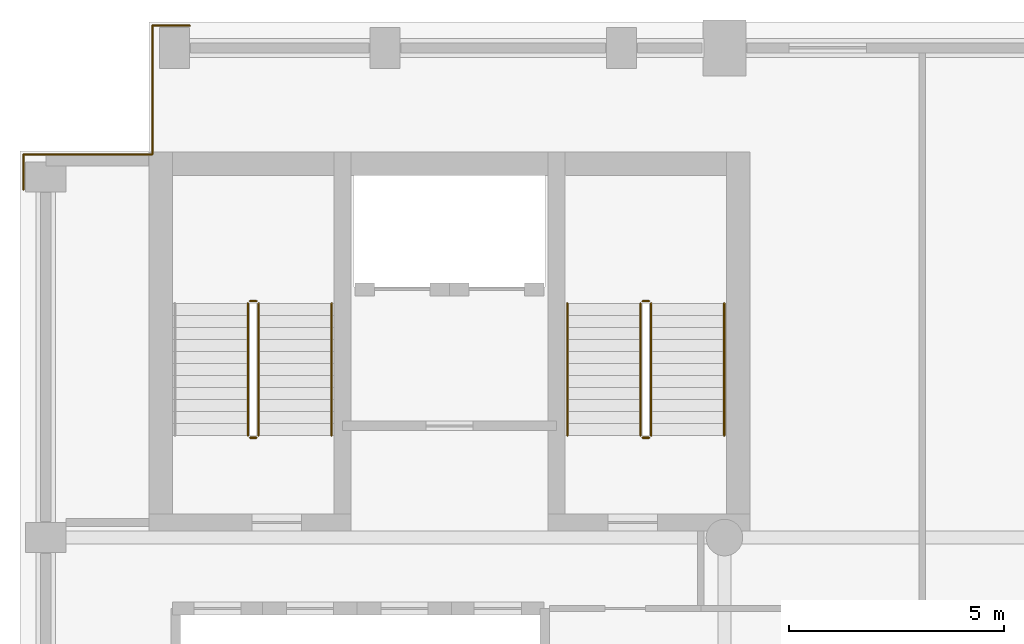
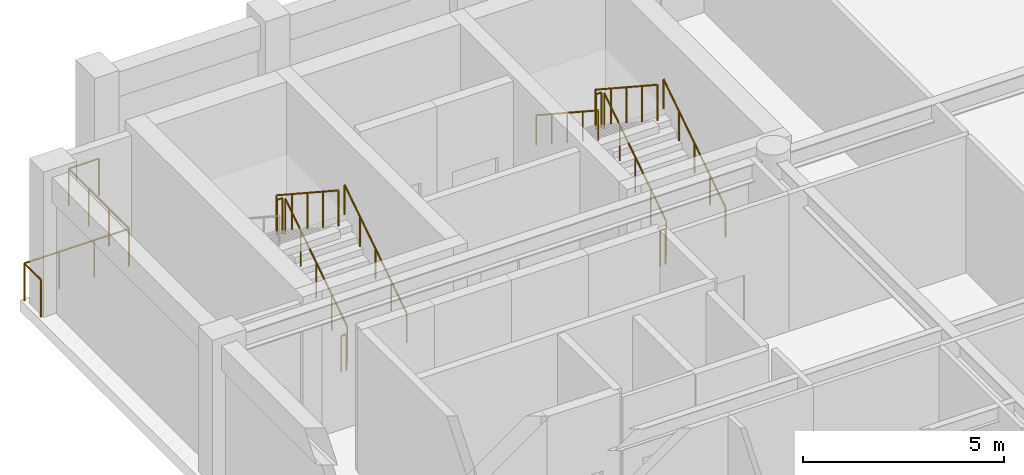
# One storey, part 12 of 13: 15 railings.
"""IFC4 building model written with IfcOpenShell, lengths in metres."""

from ifc_helpers import new_model, si_unit, direction, frame, origin, origin_2d, place, context, subcontext, project, spatial, circle, extrude, material, type_object, element, save


model = new_model("IFC4")

# Units and contexts
model_context = context("Model", 3, precision=1e-05, world=origin(), true_north=direction((0.0, 1.0)))
body_context = subcontext(model_context, "Body", "Model", "MODEL_VIEW")
ifc_project = project(units=[si_unit("LENGTHUNIT", "METRE"), si_unit("AREAUNIT", "SQUARE_METRE"), si_unit("VOLUMEUNIT", "CUBIC_METRE"), si_unit("PLANEANGLEUNIT", "RADIAN"), si_unit("MASSUNIT", "GRAM", prefix="KILO")], contexts=[model_context])

# Site, building, storey
site_placement = place(None, origin())
site = spatial("IfcSite", under=ifc_project, at=site_placement, CompositionType="ELEMENT")
building_placement = place(site_placement, origin())
building = spatial("IfcBuilding", under=site, at=building_placement, Name="Sulina Concourse Tower", CompositionType="ELEMENT")
storey_placement = place(building_placement, frame((0.0, 0.0, 280.60009765625)))
storey = spatial("IfcBuildingStorey", under=building, at=storey_placement, Name="L68", CompositionType="ELEMENT", Elevation=280.60009765625)

# Railings
ifc_material_1 = material(Name="Galvanised steel railing", Category="steel")
railing_type_1 = type_object("IfcRailingType", Name="Core Stair Steel Guardrail 1150mm", PredefinedType="GUARDRAIL", material=ifc_material_1)
railing_1_placement = place(storey_placement, frame((0.080078125, 42.10009765625, 0.0)))
element("IfcRailing", 1, at=railing_1_placement, inside=storey, type_object=railing_type_1, Name="L68 perimeter edge safety guardrail NW1", PredefinedType="GUARDRAIL", context=body_context, shape_type="SweptSolid", body=[
    extrude(circle(Radius=0.02392578125, at=origin_2d()), frame((0.0, 0.0, 1.1259765625), z_axis=(0.0, 1.0, 0.0), x_axis=(-1.0, 0.0, 0.0)), (0.0, 0.0, 1.0), 0.81982421875),
    extrude(circle(Radius=0.02099609375, at=origin_2d()), origin(), (0.0, 0.0, 1.0), 1.101806640625),
    extrude(circle(Radius=0.02099609375, at=origin_2d()), frame((0.0, 0.81982421875, 0.0)), (0.0, 0.0, 1.0), 1.101806640625),
])
railing_2_placement = place(storey_placement, frame((0.080078125, 42.919921875, 0.0)))
element("IfcRailing", 2, at=railing_2_placement, inside=storey, type_object=railing_type_1, Name="L68 perimeter edge safety guardrail NW2", PredefinedType="GUARDRAIL", context=body_context, shape_type="SweptSolid", body=[
    extrude(circle(Radius=0.02392578125, at=origin_2d()), frame((0.0, 0.0, 1.1259765625), z_axis=(1.0, 0.0, 0.0), x_axis=(0.0, 1.0, 0.0)), (0.0, 0.0, 1.0), 3.0),
    extrude(circle(Radius=0.02099609375, at=origin_2d()), origin(), (0.0, 0.0, 1.0), 1.101806640625),
    extrude(circle(Radius=0.02099609375, at=origin_2d()), frame((1.0, 0.0, 0.0)), (0.0, 0.0, 1.0), 1.101806640625),
    extrude(circle(Radius=0.02099609375, at=origin_2d()), frame((2.0, 0.0, 0.0)), (0.0, 0.0, 1.0), 1.101806640625),
    extrude(circle(Radius=0.02099609375, at=origin_2d()), frame((3.0, 0.0, 0.0)), (0.0, 0.0, 1.0), 1.101806640625),
])
railing_3_placement = place(storey_placement, frame((3.080078125, 42.919921875, 0.0)))
element("IfcRailing", 3, at=railing_3_placement, inside=storey, type_object=railing_type_1, Name="L68 perimeter edge safety guardrail NW3", PredefinedType="GUARDRAIL", context=body_context, shape_type="SweptSolid", body=[
    extrude(circle(Radius=0.02392578125, at=origin_2d()), frame((0.0, 0.0, 1.1259765625), z_axis=(0.0, 1.0, 0.0), x_axis=(-1.0, 0.0, 0.0)), (0.0, 0.0, 1.0), 3.0),
    extrude(circle(Radius=0.02099609375, at=origin_2d()), origin(), (0.0, 0.0, 1.0), 1.101806640625),
    extrude(circle(Radius=0.02099609375, at=origin_2d()), frame((0.0, 1.0, 0.0)), (0.0, 0.0, 1.0), 1.101806640625),
    extrude(circle(Radius=0.02099609375, at=origin_2d()), frame((0.0, 2.0, 0.0)), (0.0, 0.0, 1.0), 1.101806640625),
    extrude(circle(Radius=0.02099609375, at=origin_2d()), frame((0.0, 3.0, 0.0)), (0.0, 0.0, 1.0), 1.101806640625),
])
railing_4_placement = place(storey_placement, frame((3.080078125, 45.919921875, 0.0)))
element("IfcRailing", 4, at=railing_4_placement, inside=storey, type_object=railing_type_1, Name="L68 perimeter edge safety guardrail NW4", PredefinedType="GUARDRAIL", context=body_context, shape_type="SweptSolid", body=[
    extrude(circle(Radius=0.02392578125, at=origin_2d()), frame((0.0, 0.0, 1.1259765625), z_axis=(1.0, 0.0, 0.0), x_axis=(0.0, 1.0, 0.0)), (0.0, 0.0, 1.0), 0.869873046875),
    extrude(circle(Radius=0.02099609375, at=origin_2d()), origin(), (0.0, 0.0, 1.0), 1.101806640625),
    extrude(circle(Radius=0.02099609375, at=origin_2d()), frame((0.869873046875, 0.0, 0.0)), (0.0, 0.0, 1.0), 1.101806640625),
])
railing_5_placement = place(storey_placement, frame((5.554931640625, 36.375, 0.183349609375)))
element("IfcRailing", 5, at=railing_5_placement, inside=storey, type_object=railing_type_1, Name="L68 ST-1 stair guard 1", PredefinedType="GUARDRAIL", context=body_context, shape_type="SweptSolid", body=[
    extrude(circle(Radius=0.02392578125, at=origin_2d()), frame((0.0, 0.0, 1.076171875), z_axis=(0.0, 0.836633000464, 0.547763838287), x_axis=(-1.0, 0.0, 0.0)), (0.0, 0.0, 1.0), 3.681396484375),
    extrude(circle(Radius=0.02099609375, at=origin_2d()), origin(), (0.0, 0.0, 1.0), 1.052001953125),
    extrude(circle(Radius=0.02099609375, at=origin_2d()), frame((0.0, 0.77001953125, 0.504150390625)), (0.0, 0.0, 1.0), 1.052001953125),
    extrude(circle(Radius=0.02099609375, at=origin_2d()), frame((0.0, 1.5400390625, 1.00830078125)), (0.0, 0.0, 1.0), 1.052001953125),
    extrude(circle(Radius=0.02099609375, at=origin_2d()), frame((0.0, 2.31005859375, 1.512451171875)), (0.0, 0.0, 1.0), 1.052001953125),
    extrude(circle(Radius=0.02099609375, at=origin_2d()), frame((0.0, 3.080078125, 2.0166015625)), (0.0, 0.0, 1.0), 1.052001953125),
])
railing_6_placement = place(storey_placement, frame((5.5048828125, 39.5048828125, 2.199951171875)))
element("IfcRailing", 6, at=railing_6_placement, inside=storey, type_object=railing_type_1, Name="L68 ST-1 stair guard 2", PredefinedType="GUARDRAIL", context=body_context, shape_type="SweptSolid", body=[
    extrude(circle(Radius=0.02392578125, at=origin_2d()), frame((0.0, 0.0, 1.076171875), z_axis=(-1.0, 0.0, 0.0), x_axis=(0.0, -1.0, 0.0)), (0.0, 0.0, 1.0), 0.14990234375),
    extrude(circle(Radius=0.02099609375, at=origin_2d()), origin(), (0.0, 0.0, 1.0), 1.052001953125),
    extrude(circle(Radius=0.02099609375, at=origin_2d()), frame((-0.14990234375, 0.0, 0.0)), (0.0, 0.0, 1.0), 1.052001953125),
])
railing_7_placement = place(storey_placement, frame((5.304931640625, 39.455078125, 2.38330078125)))
element("IfcRailing", 7, at=railing_7_placement, inside=storey, type_object=railing_type_1, Name="L68 ST-1 stair guard 3", PredefinedType="GUARDRAIL", context=body_context, shape_type="SweptSolid", body=[
    extrude(circle(Radius=0.02392578125, at=origin_2d()), frame((0.0, 0.0, 1.076171875), z_axis=(0.0, -0.836633000464, 0.547763838287), x_axis=(1.0, 0.0, 0.0)), (0.0, 0.0, 1.0), 3.681396484375),
    extrude(circle(Radius=0.02099609375, at=origin_2d()), origin(), (0.0, 0.0, 1.0), 1.052001953125),
    extrude(circle(Radius=0.02099609375, at=origin_2d()), frame((0.0, -0.77001953125, 0.504150390625)), (0.0, 0.0, 1.0), 1.052001953125),
    extrude(circle(Radius=0.02099609375, at=origin_2d()), frame((0.0, -1.5400390625, 1.00830078125)), (0.0, 0.0, 1.0), 1.052001953125),
    extrude(circle(Radius=0.02099609375, at=origin_2d()), frame((0.0, -2.31005859375, 1.512451171875)), (0.0, 0.0, 1.0), 1.052001953125),
    extrude(circle(Radius=0.02099609375, at=origin_2d()), frame((0.0, -3.080078125, 2.0166015625)), (0.0, 0.0, 1.0), 1.052001953125),
])
railing_8_placement = place(storey_placement, frame((5.5048828125, 36.324951171875, 0.0)))
element("IfcRailing", 8, at=railing_8_placement, inside=storey, type_object=railing_type_1, Name="L68 ST-1 stair guard 4", PredefinedType="GUARDRAIL", context=body_context, shape_type="SweptSolid", body=[
    extrude(circle(Radius=0.02392578125, at=origin_2d()), frame((0.0, 0.0, 1.076171875), z_axis=(-1.0, 0.0, 0.0), x_axis=(0.0, -1.0, 0.0)), (0.0, 0.0, 1.0), 0.14990234375),
    extrude(circle(Radius=0.02099609375, at=origin_2d()), origin(), (0.0, 0.0, 1.0), 1.052001953125),
    extrude(circle(Radius=0.02099609375, at=origin_2d()), frame((-0.14990234375, 0.0, 0.0)), (0.0, 0.0, 1.0), 1.052001953125),
])
railing_9_placement = place(storey_placement, frame((14.695068359375, 36.375, 0.183349609375)))
element("IfcRailing", 9, at=railing_9_placement, inside=storey, type_object=railing_type_1, Name="L68 ST-2 stair guard 1", PredefinedType="GUARDRAIL", context=body_context, shape_type="SweptSolid", body=[
    extrude(circle(Radius=0.02392578125, at=origin_2d()), frame((0.0, 0.0, 1.076171875), z_axis=(0.0, 0.836633000464, 0.547763838287), x_axis=(-1.0, 0.0, 0.0)), (0.0, 0.0, 1.0), 3.681396484375),
    extrude(circle(Radius=0.02099609375, at=origin_2d()), origin(), (0.0, 0.0, 1.0), 1.052001953125),
    extrude(circle(Radius=0.02099609375, at=origin_2d()), frame((0.0, 0.77001953125, 0.504150390625)), (0.0, 0.0, 1.0), 1.052001953125),
    extrude(circle(Radius=0.02099609375, at=origin_2d()), frame((0.0, 1.5400390625, 1.00830078125)), (0.0, 0.0, 1.0), 1.052001953125),
    extrude(circle(Radius=0.02099609375, at=origin_2d()), frame((0.0, 2.31005859375, 1.512451171875)), (0.0, 0.0, 1.0), 1.052001953125),
    extrude(circle(Radius=0.02099609375, at=origin_2d()), frame((0.0, 3.080078125, 2.0166015625)), (0.0, 0.0, 1.0), 1.052001953125),
])
railing_10_placement = place(storey_placement, frame((14.64501953125, 39.5048828125, 2.199951171875)))
element("IfcRailing", 10, at=railing_10_placement, inside=storey, type_object=railing_type_1, Name="L68 ST-2 stair guard 2", PredefinedType="GUARDRAIL", context=body_context, shape_type="SweptSolid", body=[
    extrude(circle(Radius=0.02392578125, at=origin_2d()), frame((0.0, 0.0, 1.076171875), z_axis=(-1.0, 0.0, 0.0), x_axis=(0.0, -1.0, 0.0)), (0.0, 0.0, 1.0), 0.14990234375),
    extrude(circle(Radius=0.02099609375, at=origin_2d()), origin(), (0.0, 0.0, 1.0), 1.052001953125),
    extrude(circle(Radius=0.02099609375, at=origin_2d()), frame((-0.14990234375, 0.0, 0.0)), (0.0, 0.0, 1.0), 1.052001953125),
])
railing_11_placement = place(storey_placement, frame((14.445068359375, 39.455078125, 2.38330078125)))
element("IfcRailing", 11, at=railing_11_placement, inside=storey, type_object=railing_type_1, Name="L68 ST-2 stair guard 3", PredefinedType="GUARDRAIL", context=body_context, shape_type="SweptSolid", body=[
    extrude(circle(Radius=0.02392578125, at=origin_2d()), frame((0.0, 0.0, 1.076171875), z_axis=(0.0, -0.836633000464, 0.547763838287), x_axis=(1.0, 0.0, 0.0)), (0.0, 0.0, 1.0), 3.681396484375),
    extrude(circle(Radius=0.02099609375, at=origin_2d()), origin(), (0.0, 0.0, 1.0), 1.052001953125),
    extrude(circle(Radius=0.02099609375, at=origin_2d()), frame((0.0, -0.77001953125, 0.504150390625)), (0.0, 0.0, 1.0), 1.052001953125),
    extrude(circle(Radius=0.02099609375, at=origin_2d()), frame((0.0, -1.5400390625, 1.00830078125)), (0.0, 0.0, 1.0), 1.052001953125),
    extrude(circle(Radius=0.02099609375, at=origin_2d()), frame((0.0, -2.31005859375, 1.512451171875)), (0.0, 0.0, 1.0), 1.052001953125),
    extrude(circle(Radius=0.02099609375, at=origin_2d()), frame((0.0, -3.080078125, 2.0166015625)), (0.0, 0.0, 1.0), 1.052001953125),
])
railing_12_placement = place(storey_placement, frame((14.64501953125, 36.324951171875, 0.0)))
element("IfcRailing", 12, at=railing_12_placement, inside=storey, type_object=railing_type_1, Name="L68 ST-2 stair guard 4", PredefinedType="GUARDRAIL", context=body_context, shape_type="SweptSolid", body=[
    extrude(circle(Radius=0.02392578125, at=origin_2d()), frame((0.0, 0.0, 1.076171875), z_axis=(-1.0, 0.0, 0.0), x_axis=(0.0, -1.0, 0.0)), (0.0, 0.0, 1.0), 0.14990234375),
    extrude(circle(Radius=0.02099609375, at=origin_2d()), origin(), (0.0, 0.0, 1.0), 1.052001953125),
    extrude(circle(Radius=0.02099609375, at=origin_2d()), frame((-0.14990234375, 0.0, 0.0)), (0.0, 0.0, 1.0), 1.052001953125),
])
ifc_material_2 = material(Name="Galvanised steel railing", Category="steel")
railing_type_2 = type_object("IfcRailingType", Name="Stair Wall Steel Handrail 920mm", PredefinedType="HANDRAIL", material=ifc_material_2)
for number, where, name in (
    (13, (7.2548828125, 36.375, 0.183349609375), "L68 ST-1 stair handrail 1"),
    (14, (16.39501953125, 36.375, 0.183349609375), "L68 ST-2 stair handrail 1"),
):
    element("IfcRailing", number, at=place(storey_placement, frame(where)), inside=storey, type_object=railing_type_2, Name=name, PredefinedType="HANDRAIL", context=body_context, shape_type="SweptSolid", body=[
        extrude(circle(Radius=0.02392578125, at=origin_2d()), frame((0.0, 0.0, 0.89599609375), z_axis=(0.0, 0.836633000464, 0.547763838287), x_axis=(-1.0, 0.0, 0.0)), (0.0, 0.0, 1.0), 3.681396484375),
        extrude(circle(Radius=0.02099609375, at=origin_2d()), origin(), (0.0, 0.0, 1.0), 0.871826171875),
        extrude(circle(Radius=0.02099609375, at=origin_2d()), frame((0.0, 0.77001953125, 0.504150390625)), (0.0, 0.0, 1.0), 0.871826171875),
        extrude(circle(Radius=0.02099609375, at=origin_2d()), frame((0.0, 1.5400390625, 1.00830078125)), (0.0, 0.0, 1.0), 0.871826171875),
        extrude(circle(Radius=0.02099609375, at=origin_2d()), frame((0.0, 2.31005859375, 1.512451171875)), (0.0, 0.0, 1.0), 0.871826171875),
        extrude(circle(Radius=0.02099609375, at=origin_2d()), frame((0.0, 3.080078125, 2.0166015625)), (0.0, 0.0, 1.0), 0.871826171875),
    ])
railing_13_placement = place(storey_placement, frame((12.7451171875, 39.455078125, 2.38330078125)))
element("IfcRailing", 15, at=railing_13_placement, inside=storey, type_object=railing_type_2, Name="L68 ST-2 stair handrail 2", PredefinedType="HANDRAIL", context=body_context, shape_type="SweptSolid", body=[
    extrude(circle(Radius=0.02392578125, at=origin_2d()), frame((0.0, 0.0, 0.89599609375), z_axis=(0.0, -0.836633000464, 0.547763838287), x_axis=(1.0, 0.0, 0.0)), (0.0, 0.0, 1.0), 3.681396484375),
    extrude(circle(Radius=0.02099609375, at=origin_2d()), origin(), (0.0, 0.0, 1.0), 0.871826171875),
    extrude(circle(Radius=0.02099609375, at=origin_2d()), frame((0.0, -0.77001953125, 0.504150390625)), (0.0, 0.0, 1.0), 0.871826171875),
    extrude(circle(Radius=0.02099609375, at=origin_2d()), frame((0.0, -1.5400390625, 1.00830078125)), (0.0, 0.0, 1.0), 0.871826171875),
    extrude(circle(Radius=0.02099609375, at=origin_2d()), frame((0.0, -2.31005859375, 1.512451171875)), (0.0, 0.0, 1.0), 0.871826171875),
    extrude(circle(Radius=0.02099609375, at=origin_2d()), frame((0.0, -3.080078125, 2.0166015625)), (0.0, 0.0, 1.0), 0.871826171875),
])

save(model, "model.ifc")
